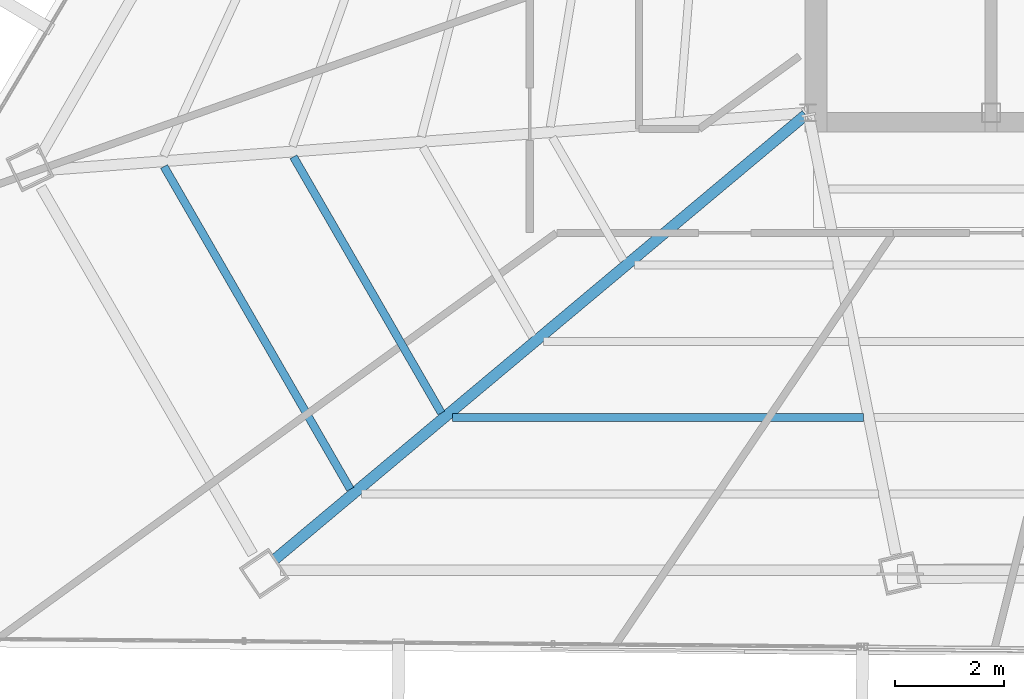
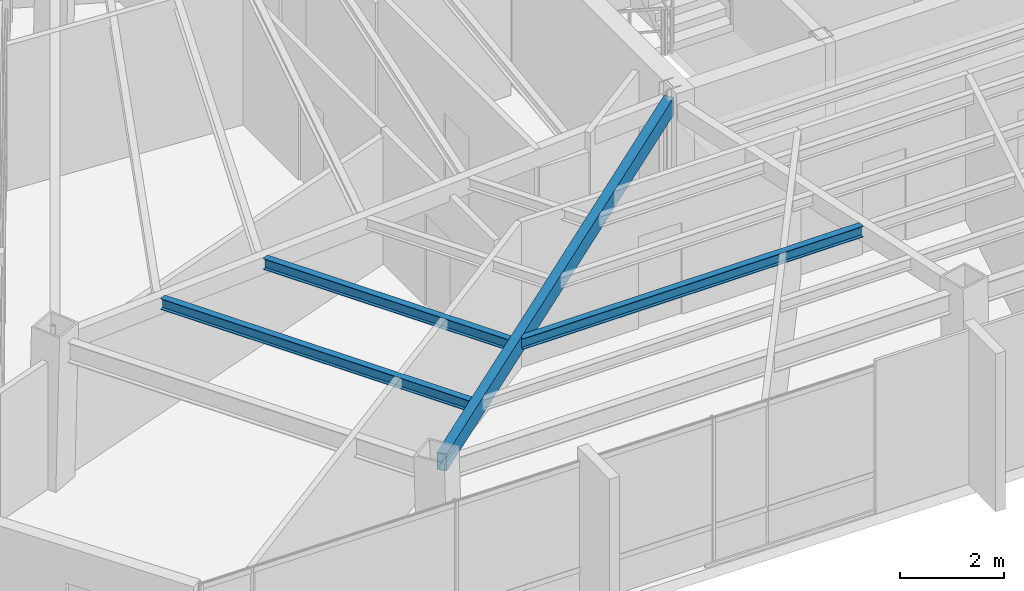
# One storey, part 6 of 46: 4 beams.
"""IFC4 building model written with IfcOpenShell, lengths in metres."""

from ifc_helpers import new_model, si_unit, direction, frame, origin, origin_2d, place, context, subcontext, project, spatial, hollow_rectangle, i_section, extrude, source, transform, mapped, material, material_profile, profile_set, type_object, type_shapes, element, save


model = new_model("IFC4")

# Units and contexts
model_context = context("Model", 3, precision=1e-05, world=origin(), true_north=direction((0.0, 1.0)))
body_context = subcontext(model_context, "Body", "Model", "MODEL_VIEW")
ifc_project = project(units=[si_unit("LENGTHUNIT", "METRE"), si_unit("AREAUNIT", "SQUARE_METRE"), si_unit("VOLUMEUNIT", "CUBIC_METRE"), si_unit("PLANEANGLEUNIT", "RADIAN"), si_unit("MASSUNIT", "GRAM", prefix="KILO")], contexts=[model_context])

# Site, building, storey
site_placement = place(None, origin())
site = spatial("IfcSite", under=ifc_project, at=site_placement, CompositionType="ELEMENT")
building_placement = place(site_placement, origin())
building = spatial("IfcBuilding", under=site, at=building_placement, Name="Caelisora Broadcast Tower", CompositionType="ELEMENT")
storey_placement = place(building_placement, frame((0.0, 0.0, 237.14990234375)))
storey = spatial("IfcBuildingStorey", under=building, at=storey_placement, Name="L62", CompositionType="ELEMENT", Elevation=237.14990234375)

# Beams
ifc_material_1 = material(Name="Steel Grade 350 (AS/NZS 1163 C350L0)", Category="steel")
ifc_material_profile_1 = material_profile(ifc_material_1, hollow_rectangle(XDim=0.199951171875, YDim=0.39990234375, WallThickness=0.012451171875, at=origin_2d()), Name="Steel Grade 350 (AS/NZS 1163 C350L0)")
ifc_profile_set_1 = profile_set([ifc_material_profile_1], Name="Steel Grade 350 (AS/NZS 1163 C350L0)")
beam_type_1 = type_object("IfcBeamType", Name="PG07", PredefinedType="BEAM", material=ifc_profile_set_1)
shared_shape_1 = source(origin(), body_context, "Body", "SweptSolid", [
    extrude(hollow_rectangle(XDim=0.199951171875, YDim=0.39990234375, WallThickness=0.012451171875, at=origin_2d()), origin(), (0.0, 0.0, 1.0), 12.690185546875),
])
type_shapes(beam_type_1, [shared_shape_1])
beam_1_placement = place(storey_placement, frame((30.4541015625, 17.361572265625, 3.2001953125), z_axis=(-0.766678388112, -0.642031345965, 0.0), x_axis=(0.642031345965, -0.766678388112, 0.0)))
element("IfcBeam", 1, at=beam_1_placement, inside=storey, type_object=beam_type_1, Name="L62 beam PG07", PredefinedType="BEAM", context=body_context, shape_type="MappedRepresentation", body=[
    mapped(shared_shape_1, transform((0.0, 0.0, 0.0), scale=1.0)),
])
ifc_material_2 = material(Name="Steel Grade 350 (AS/NZS 3679.1)", Category="steel")
ifc_material_profile_2 = material_profile(ifc_material_2, i_section(OverallWidth=0.14599609375, OverallDepth=0.256103515625, WebThickness=0.00634765625, FlangeThickness=0.010986328125, at=origin_2d()), Name="Steel Grade 350 (AS/NZS 3679.1)")
ifc_profile_set_2 = profile_set([ifc_material_profile_2], Name="Steel Grade 350 (AS/NZS 3679.1)")
beam_type_2 = type_object("IfcBeamType", Name="SB04", PredefinedType="JOIST", material=ifc_profile_set_2)
shared_shape_2 = source(origin(), body_context, "Body", "SweptSolid", [
    extrude(i_section(OverallWidth=0.14599609375, OverallDepth=0.256103515625, WebThickness=0.00634765625, FlangeThickness=0.010986328125, at=origin_2d()), origin(), (0.0, 0.0, 1.0), 5.418212890625),
])
beam_2_placement = place(storey_placement, frame((21.072509765625, 16.593017578125, 3.27197265625), z_axis=(0.499977284099, -0.866038518419, 0.0), x_axis=(0.866038518419, 0.499977284099, 0.0)))
element("IfcBeam", 2, at=beam_2_placement, inside=storey, type_object=beam_type_2, Name="L62 beam SB04", PredefinedType="JOIST", context=body_context, shape_type="MappedRepresentation", body=[
    mapped(shared_shape_2, transform((0.0, 0.0, 0.0), scale=1.0)),
])
shared_shape_3 = source(origin(), body_context, "Body", "SweptSolid", [
    extrude(i_section(OverallWidth=0.14599609375, OverallDepth=0.256103515625, WebThickness=0.00634765625, FlangeThickness=0.010986328125, at=origin_2d()), origin(), (0.0, 0.0, 1.0), 6.824462890625),
])
beam_3_placement = place(storey_placement, frame((18.701904296875, 16.41455078125, 3.27197265625), z_axis=(0.500013540858, -0.866017585825, 0.0), x_axis=(0.866017585825, 0.500013540858, 0.0)))
element("IfcBeam", 3, at=beam_3_placement, inside=storey, type_object=beam_type_2, Name="L62 beam SB04", PredefinedType="JOIST", context=body_context, shape_type="MappedRepresentation", body=[
    mapped(shared_shape_3, transform((0.0, 0.0, 0.0), scale=1.0)),
])
shared_shape_4 = source(origin(), body_context, "Body", "SweptSolid", [
    extrude(i_section(OverallWidth=0.14599609375, OverallDepth=0.256103515625, WebThickness=0.00634765625, FlangeThickness=0.010986328125, at=origin_2d()), origin(), (0.0, 0.0, 1.0), 7.527587890625),
])
type_shapes(beam_type_2, [shared_shape_2, shared_shape_3, shared_shape_4])
beam_4_placement = place(storey_placement, frame((23.983642578125, 11.815185546875, 3.27197265625), z_axis=(1.0, 0.0, 0.0), x_axis=(0.0, 1.0, 0.0)))
element("IfcBeam", 4, at=beam_4_placement, inside=storey, type_object=beam_type_2, Name="L62 beam SB04", PredefinedType="JOIST", context=body_context, shape_type="MappedRepresentation", body=[
    mapped(shared_shape_4, transform((0.0, 0.0, 0.0), scale=1.0)),
])

save(model, "model.ifc")
